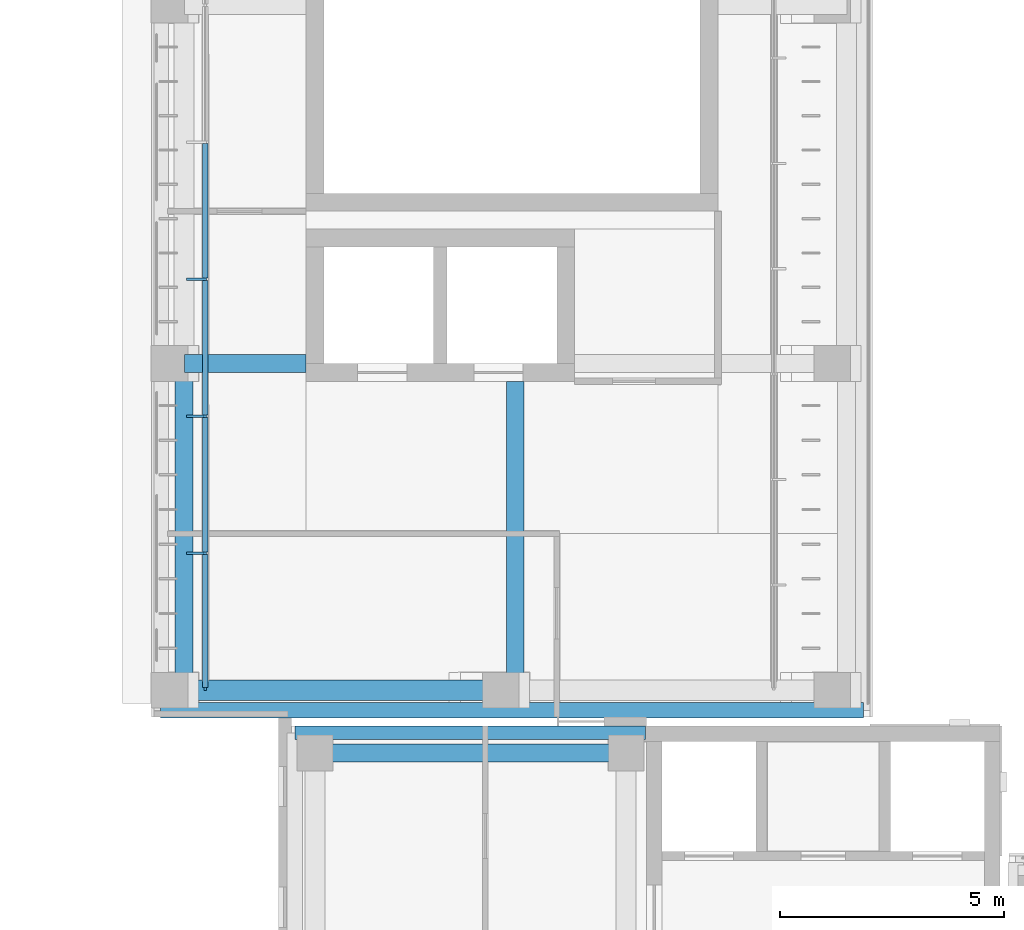
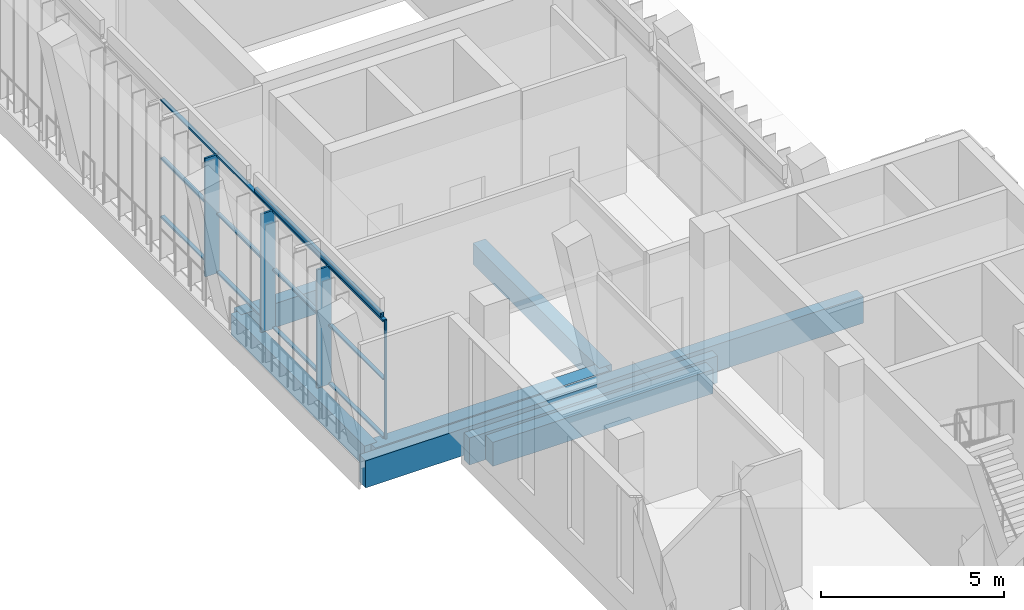
# One storey, part 22 of 89: 16 members, 8 beams, 1 element without a shape of its own.
"""IFC4 building model written with IfcOpenShell, lengths in metres."""

from ifc_helpers import new_model, si_unit, direction, frame, origin, origin_2d, place, context, subcontext, project, spatial, rectangle, hollow_rectangle, extrude, material, material_profile, profile_set, type_object, element, aggregate, save


model = new_model("IFC4")

# Units and contexts
model_context = context("Model", 3, precision=1e-05, world=origin(), true_north=direction((0.0, 1.0)))
body_context = subcontext(model_context, "Body", "Model", "MODEL_VIEW")
ifc_project = project(units=[si_unit("LENGTHUNIT", "METRE"), si_unit("AREAUNIT", "SQUARE_METRE"), si_unit("VOLUMEUNIT", "CUBIC_METRE"), si_unit("PLANEANGLEUNIT", "RADIAN"), si_unit("MASSUNIT", "GRAM", prefix="KILO")], contexts=[model_context])

# Site, building, storey
site_placement = place(None, origin())
site = spatial("IfcSite", under=ifc_project, at=site_placement, CompositionType="ELEMENT")
building_placement = place(site_placement, origin())
building = spatial("IfcBuilding", under=site, at=building_placement, Name="Lantern Court Media Centre", CompositionType="ELEMENT")
storey_placement = place(building_placement, frame((0.0, 0.0, 14.39990234375)))
storey = spatial("IfcBuildingStorey", under=building, at=storey_placement, Name="L03", CompositionType="ELEMENT", Elevation=14.39990234375)

# Curtain wall, members
ifc_material_1 = material(Name="Curtain wall bay 3000")
curtain_wall_type = type_object("IfcCurtainWallType", Name="Curtain wall bay 3000", PredefinedType="NOTDEFINED", material=ifc_material_1)
curtain_wall_placement = place(storey_placement, origin())
curtain_wall = element("IfcCurtainWall", 1, at=curtain_wall_placement, inside=storey, type_object=curtain_wall_type, Name="Curtain wall W outer L03", PredefinedType="NOTDEFINED")
ifc_material_2 = material(Name="Anodised aluminium", Category="aluminium")
ifc_material_profile_1 = material_profile(ifc_material_2, rectangle(XDim=0.449951171875, YDim=0.06005859375, at=origin_2d()), Name="AL 60x450")
ifc_profile_set_1 = profile_set([ifc_material_profile_1], Name="Anodised aluminium")
member_type_1 = type_object("IfcMemberType", Name="Curtain wall mullion 60x450", PredefinedType="MULLION", material=ifc_profile_set_1)
member_1_placement = place(storey_placement, frame((5.955078125, 67.760009765625, 0.0), z_axis=(0.0, 0.0, 1.0), x_axis=(-1.0, 0.0, 0.0)))
member_1 = element("IfcMember", 2, at=member_1_placement, type_object=member_type_1, Name="CW1 mullion 2", PredefinedType="MULLION", context=body_context, shape_type="SweptSolid", body=[
    extrude(rectangle(XDim=0.449951171875, YDim=0.06005859375, at=origin_2d()), origin(), (0.0, 0.0, 1.0), 3.9501953125),
])
member_2_placement = place(storey_placement, frame((5.955078125, 70.820068359375, 0.0), z_axis=(0.0, 0.0, 1.0), x_axis=(-1.0, 0.0, 0.0)))
member_2 = element("IfcMember", 3, at=member_2_placement, type_object=member_type_1, Name="CW1 mullion 3", PredefinedType="MULLION", context=body_context, shape_type="SweptSolid", body=[
    extrude(rectangle(XDim=0.449951171875, YDim=0.06005859375, at=origin_2d()), origin(), (0.0, 0.0, 1.0), 3.9501953125),
])
member_3_placement = place(storey_placement, frame((5.955078125, 73.8798828125, 0.0), z_axis=(0.0, 0.0, 1.0), x_axis=(-1.0, 0.0, 0.0)))
member_3 = element("IfcMember", 4, at=member_3_placement, type_object=member_type_1, Name="CW1 mullion 4", PredefinedType="MULLION", context=body_context, shape_type="SweptSolid", body=[
    extrude(rectangle(XDim=0.449951171875, YDim=0.06005859375, at=origin_2d()), origin(), (0.0, 0.0, 1.0), 3.9501953125),
])
ifc_material_profile_2 = material_profile(ifc_material_2, rectangle(XDim=0.06005859375, YDim=0.06005859375, at=origin_2d()), Name="AL 60x60")
ifc_profile_set_2 = profile_set([ifc_material_profile_2], Name="Anodised aluminium")
member_type_2 = type_object("IfcMemberType", Name="Curtain wall mullion 60x60", PredefinedType="MULLION", material=ifc_profile_set_2)
member_4_placement = place(storey_placement, frame((6.14990234375, 64.72998046875, 0.0), z_axis=(0.0, 0.0, 1.0), x_axis=(-1.0, 0.0, 0.0)))
member_4 = element("IfcMember", 5, at=member_4_placement, type_object=member_type_2, Name="CW1 mullion 1", PredefinedType="MULLION", context=body_context, shape_type="SweptSolid", body=[
    extrude(rectangle(XDim=0.06005859375, YDim=0.06005859375, at=origin_2d()), origin(), (0.0, 0.0, 1.0), 3.9501953125),
])
ifc_material_profile_3 = material_profile(ifc_material_2, rectangle(XDim=0.1201171875, YDim=0.06005859375, at=origin_2d()), Name="AL 60x120")
ifc_profile_set_3 = profile_set([ifc_material_profile_3], Name="Anodised aluminium")
member_type_3 = type_object("IfcMemberType", Name="Curtain wall transom 60x120", PredefinedType="USERDEFINED", material=ifc_profile_set_3)
member_5_placement = place(storey_placement, frame((6.14990234375, 64.760009765625, 0.030029296875), z_axis=(0.0, 1.0, 0.0), x_axis=(-1.0, 0.0, 0.0)))
member_5 = element("IfcMember", 6, at=member_5_placement, type_object=member_type_3, Name="CW1 transom 1.1", ObjectType="TRANSOM", PredefinedType="USERDEFINED", context=body_context, shape_type="SweptSolid", body=[
    extrude(rectangle(XDim=0.1201171875, YDim=0.06005859375, at=origin_2d()), origin(), (0.0, 0.0, 1.0), 2.969970703125),
])
member_6_placement = place(storey_placement, frame((6.14990234375, 64.760009765625, 1.97509765625), z_axis=(0.0, 1.0, 0.0), x_axis=(-1.0, 0.0, 0.0)))
member_6 = element("IfcMember", 7, at=member_6_placement, type_object=member_type_3, Name="CW1 transom 1.2", ObjectType="TRANSOM", PredefinedType="USERDEFINED", context=body_context, shape_type="SweptSolid", body=[
    extrude(rectangle(XDim=0.1201171875, YDim=0.06005859375, at=origin_2d()), origin(), (0.0, 0.0, 1.0), 2.969970703125),
])
member_7_placement = place(storey_placement, frame((6.14990234375, 64.760009765625, 3.920166015625), z_axis=(0.0, 1.0, 0.0), x_axis=(-1.0, 0.0, 0.0)))
member_7 = element("IfcMember", 8, at=member_7_placement, type_object=member_type_3, Name="CW1 transom 1.3", ObjectType="TRANSOM", PredefinedType="USERDEFINED", context=body_context, shape_type="SweptSolid", body=[
    extrude(rectangle(XDim=0.1201171875, YDim=0.06005859375, at=origin_2d()), origin(), (0.0, 0.0, 1.0), 2.969970703125),
])
member_8_placement = place(storey_placement, frame((6.14990234375, 67.7900390625, 0.030029296875), z_axis=(0.0, 1.0, 0.0), x_axis=(-1.0, 0.0, 0.0)))
member_8 = element("IfcMember", 9, at=member_8_placement, type_object=member_type_3, Name="CW1 transom 2.1", ObjectType="TRANSOM", PredefinedType="USERDEFINED", context=body_context, shape_type="SweptSolid", body=[
    extrude(rectangle(XDim=0.1201171875, YDim=0.06005859375, at=origin_2d()), origin(), (0.0, 0.0, 1.0), 3.0),
])
member_9_placement = place(storey_placement, frame((6.14990234375, 67.7900390625, 1.97509765625), z_axis=(0.0, 1.0, 0.0), x_axis=(-1.0, 0.0, 0.0)))
member_9 = element("IfcMember", 10, at=member_9_placement, type_object=member_type_3, Name="CW1 transom 2.2", ObjectType="TRANSOM", PredefinedType="USERDEFINED", context=body_context, shape_type="SweptSolid", body=[
    extrude(rectangle(XDim=0.1201171875, YDim=0.06005859375, at=origin_2d()), origin(), (0.0, 0.0, 1.0), 3.0),
])
member_10_placement = place(storey_placement, frame((6.14990234375, 67.7900390625, 3.920166015625), z_axis=(0.0, 1.0, 0.0), x_axis=(-1.0, 0.0, 0.0)))
member_10 = element("IfcMember", 11, at=member_10_placement, type_object=member_type_3, Name="CW1 transom 2.3", ObjectType="TRANSOM", PredefinedType="USERDEFINED", context=body_context, shape_type="SweptSolid", body=[
    extrude(rectangle(XDim=0.1201171875, YDim=0.06005859375, at=origin_2d()), origin(), (0.0, 0.0, 1.0), 3.0),
])
member_11_placement = place(storey_placement, frame((6.14990234375, 70.85009765625, 0.030029296875), z_axis=(0.0, 1.0, 0.0), x_axis=(-1.0, 0.0, 0.0)))
member_11 = element("IfcMember", 12, at=member_11_placement, type_object=member_type_3, Name="CW1 transom 3.1", ObjectType="TRANSOM", PredefinedType="USERDEFINED", context=body_context, shape_type="SweptSolid", body=[
    extrude(rectangle(XDim=0.1201171875, YDim=0.06005859375, at=origin_2d()), origin(), (0.0, 0.0, 1.0), 3.0),
])
member_12_placement = place(storey_placement, frame((6.14990234375, 70.85009765625, 1.97509765625), z_axis=(0.0, 1.0, 0.0), x_axis=(-1.0, 0.0, 0.0)))
member_12 = element("IfcMember", 13, at=member_12_placement, type_object=member_type_3, Name="CW1 transom 3.2", ObjectType="TRANSOM", PredefinedType="USERDEFINED", context=body_context, shape_type="SweptSolid", body=[
    extrude(rectangle(XDim=0.1201171875, YDim=0.06005859375, at=origin_2d()), origin(), (0.0, 0.0, 1.0), 3.0),
])
member_13_placement = place(storey_placement, frame((6.14990234375, 70.85009765625, 3.920166015625), z_axis=(0.0, 1.0, 0.0), x_axis=(-1.0, 0.0, 0.0)))
member_13 = element("IfcMember", 14, at=member_13_placement, type_object=member_type_3, Name="CW1 transom 3.3", ObjectType="TRANSOM", PredefinedType="USERDEFINED", context=body_context, shape_type="SweptSolid", body=[
    extrude(rectangle(XDim=0.1201171875, YDim=0.06005859375, at=origin_2d()), origin(), (0.0, 0.0, 1.0), 3.0),
])
member_14_placement = place(storey_placement, frame((6.14990234375, 73.909912109375, 0.030029296875), z_axis=(0.0, 1.0, 0.0), x_axis=(-1.0, 0.0, 0.0)))
member_14 = element("IfcMember", 15, at=member_14_placement, type_object=member_type_3, Name="CW1 transom 4.1", ObjectType="TRANSOM", PredefinedType="USERDEFINED", context=body_context, shape_type="SweptSolid", body=[
    extrude(rectangle(XDim=0.1201171875, YDim=0.06005859375, at=origin_2d()), origin(), (0.0, 0.0, 1.0), 3.0),
])
member_15_placement = place(storey_placement, frame((6.14990234375, 73.909912109375, 1.97509765625), z_axis=(0.0, 1.0, 0.0), x_axis=(-1.0, 0.0, 0.0)))
member_15 = element("IfcMember", 16, at=member_15_placement, type_object=member_type_3, Name="CW1 transom 4.2", ObjectType="TRANSOM", PredefinedType="USERDEFINED", context=body_context, shape_type="SweptSolid", body=[
    extrude(rectangle(XDim=0.1201171875, YDim=0.06005859375, at=origin_2d()), origin(), (0.0, 0.0, 1.0), 3.0),
])
member_16_placement = place(storey_placement, frame((6.14990234375, 73.909912109375, 3.920166015625), z_axis=(0.0, 1.0, 0.0), x_axis=(-1.0, 0.0, 0.0)))
member_16 = element("IfcMember", 17, at=member_16_placement, type_object=member_type_3, Name="CW1 transom 4.3", ObjectType="TRANSOM", PredefinedType="USERDEFINED", context=body_context, shape_type="SweptSolid", body=[
    extrude(rectangle(XDim=0.1201171875, YDim=0.06005859375, at=origin_2d()), origin(), (0.0, 0.0, 1.0), 3.0),
])
aggregate(curtain_wall, [member_4, member_1, member_2, member_3, member_5, member_6, member_7, member_8, member_9, member_10, member_11, member_12, member_13, member_14, member_15, member_16])

# Beams
ifc_material_3 = material(Name="Steel S355J2 (EN 10025-2)", Category="steel")
ifc_material_profile_4 = material_profile(ifc_material_3, hollow_rectangle(XDim=0.10009765625, YDim=0.14990234375, WallThickness=0.00634765625, InnerFilletRadius=0.00634765625, OuterFilletRadius=0.009521484375, at=origin_2d()), Name="Facade head lintel RHS 150x100x6.3")
ifc_profile_set_4 = profile_set([ifc_material_profile_4], Name="Steel S355J2 (EN 10025-2)")
beam_type_1 = type_object("IfcBeamType", Name="Facade head lintel RHS 150x100x6.3", PredefinedType="BEAM", material=ifc_profile_set_4)
beam_1_placement = place(storey_placement, frame((6.14990234375, 64.89990234375, 4.025146484375), z_axis=(0.0, 1.0, 0.0), x_axis=(-1.0, 0.0, 0.0)))
element("IfcBeam", 18, at=beam_1_placement, inside=storey, type_object=beam_type_1, Name="Facade head lintel W L03", PredefinedType="BEAM", context=body_context, shape_type="SweptSolid", body=[
    extrude(hollow_rectangle(XDim=0.10009765625, YDim=0.14990234375, WallThickness=0.00634765625, InnerFilletRadius=0.00634765625, OuterFilletRadius=0.009521484375, at=origin_2d()), origin(), (0.0, 0.0, 1.0), 6.900146484375),
])
ifc_material_4 = material(Name="Concrete C35", Category="concrete")
ifc_material_profile_5 = material_profile(ifc_material_4, rectangle(XDim=0.300048828125, YDim=0.89990234375, at=origin_2d()), Name="RC 300x900")
ifc_profile_set_5 = profile_set([ifc_material_profile_5], Name="Concrete C35")
beam_type_2 = type_object("IfcBeamType", Name="RC BEAM 300x900", PredefinedType="BEAM", material=ifc_profile_set_5)
beam_2_placement = place(storey_placement, frame((8.14990234375, 63.75, -0.449951171875), z_axis=(1.0, 0.0, 0.0), x_axis=(0.0, 1.0, 0.0)))
element("IfcBeam", 19, at=beam_2_placement, inside=storey, type_object=beam_type_2, Name="EB-SW-L03-N", PredefinedType="BEAM", context=body_context, shape_type="SweptSolid", body=[
    extrude(rectangle(XDim=0.300048828125, YDim=0.89990234375, at=origin_2d()), origin(), (0.0, 0.0, 1.0), 7.830078125),
])
ifc_material_profile_6 = material_profile(ifc_material_4, rectangle(XDim=0.35009765625, YDim=0.89990234375, at=origin_2d()), Name="RC 350x900")
ifc_profile_set_6 = profile_set([ifc_material_profile_6], Name="Concrete C35")
beam_type_3 = type_object("IfcBeamType", Name="RC BEAM 350x900", PredefinedType="BEAM", material=ifc_profile_set_6)
beam_3_placement = place(storey_placement, frame((5.14990234375, 64.25, -0.449951171875), z_axis=(1.0, 0.0, 0.0), x_axis=(0.0, 1.0, 0.0)))
element("IfcBeam", 20, at=beam_3_placement, inside=storey, type_object=beam_type_3, Name="EB-W-L03-C", PredefinedType="BEAM", context=body_context, shape_type="SweptSolid", body=[
    extrude(rectangle(XDim=0.35009765625, YDim=0.89990234375, at=origin_2d()), origin(), (0.0, 0.0, 1.0), 15.7001953125),
])
ifc_material_profile_7 = material_profile(ifc_material_4, rectangle(XDim=0.39990234375, YDim=0.699951171875, at=origin_2d()), Name="RC 400x700")
ifc_profile_set_7 = profile_set([ifc_material_profile_7], Name="Concrete C35")
beam_type_4 = type_object("IfcBeamType", Name="RC BEAM 400x700", PredefinedType="BEAM", material=ifc_profile_set_7)
beam_4_placement = place(storey_placement, frame((5.6728515625, 64.699951171875, -0.349853515625), z_axis=(0.0, 1.0, 0.0), x_axis=(-1.0, 0.0, 0.0)))
element("IfcBeam", 21, at=beam_4_placement, inside=storey, type_object=beam_type_4, Name="LB-W-L03-0-0", PredefinedType="BEAM", context=body_context, shape_type="SweptSolid", body=[
    extrude(rectangle(XDim=0.39990234375, YDim=0.699951171875, at=origin_2d()), origin(), (0.0, 0.0, 1.0), 7.300048828125),
])
beam_5_placement = place(storey_placement, frame((13.072998046875, 64.699951171875, -0.349853515625), z_axis=(0.0, 1.0, 0.0), x_axis=(-1.0, 0.0, 0.0)))
element("IfcBeam", 22, at=beam_5_placement, inside=storey, type_object=beam_type_4, Name="LB-W-L03-1-0", PredefinedType="BEAM", context=body_context, shape_type="SweptSolid", body=[
    extrude(rectangle(XDim=0.39990234375, YDim=0.699951171875, at=origin_2d()), origin(), (0.0, 0.0, 1.0), 6.900146484375),
])
ifc_material_profile_8 = material_profile(ifc_material_4, rectangle(XDim=0.39990234375, YDim=0.800048828125, at=origin_2d()), Name="RC 400x800")
ifc_profile_set_8 = profile_set([ifc_material_profile_8], Name="Concrete C35")
beam_type_5 = type_object("IfcBeamType", Name="RC BEAM 400x800", PredefinedType="BEAM", material=ifc_profile_set_8)
beam_6_placement = place(storey_placement, frame((8.60009765625, 63.300048828125, -0.39990234375), z_axis=(1.0, 0.0, 0.0), x_axis=(0.0, 1.0, 0.0)))
element("IfcBeam", 23, at=beam_6_placement, inside=storey, type_object=beam_type_5, Name="BB-SW-L03-Y0-63", PredefinedType="BEAM", context=body_context, shape_type="SweptSolid", body=[
    extrude(rectangle(XDim=0.39990234375, YDim=0.800048828125, at=origin_2d()), origin(), (0.0, 0.0, 1.0), 6.949951171875),
])
beam_7_placement = place(storey_placement, frame((5.683349609375, 72.0, -0.39990234375), z_axis=(1.0, 0.0, 0.0), x_axis=(0.0, 1.0, 0.0)))
element("IfcBeam", 24, at=beam_7_placement, inside=storey, type_object=beam_type_5, Name="TB-W-L03-1-1", PredefinedType="BEAM", context=body_context, shape_type="SweptSolid", body=[
    extrude(rectangle(XDim=0.39990234375, YDim=0.800048828125, at=origin_2d()), origin(), (0.0, 0.0, 1.0), 2.716552734375),
])
ifc_material_profile_9 = material_profile(ifc_material_4, rectangle(XDim=0.449951171875, YDim=0.800048828125, at=origin_2d()), Name="RC 450x800")
ifc_profile_set_9 = profile_set([ifc_material_profile_9], Name="Concrete C35")
beam_type_6 = type_object("IfcBeamType", Name="RC BEAM 450x800", PredefinedType="BEAM", material=ifc_profile_set_9)
beam_8_placement = place(storey_placement, frame((5.683349609375, 64.699951171875, -0.39990234375), z_axis=(1.0, 0.0, 0.0), x_axis=(0.0, 1.0, 0.0)))
element("IfcBeam", 25, at=beam_8_placement, inside=storey, type_object=beam_type_6, Name="TB-W-L03-0-1", PredefinedType="BEAM", context=body_context, shape_type="SweptSolid", body=[
    extrude(rectangle(XDim=0.449951171875, YDim=0.800048828125, at=origin_2d()), origin(), (0.0, 0.0, 1.0), 7.39990234375),
])

save(model, "model.ifc")
